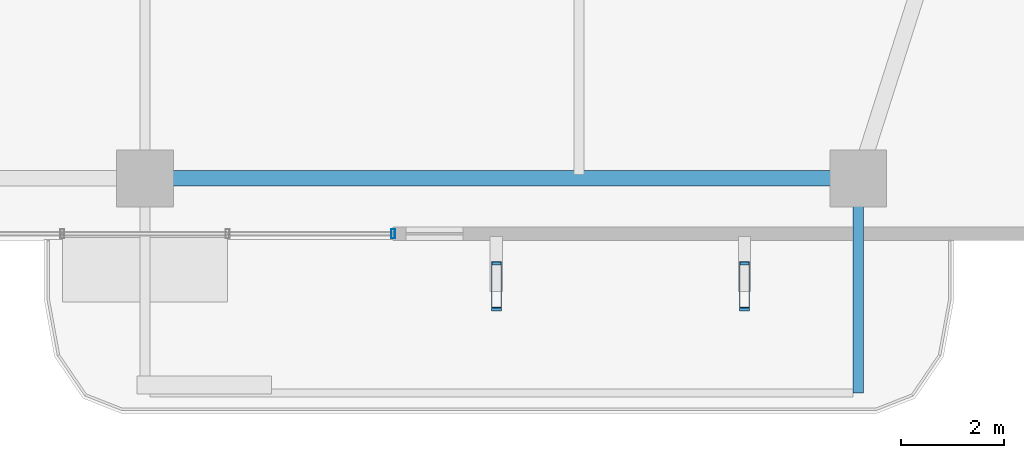
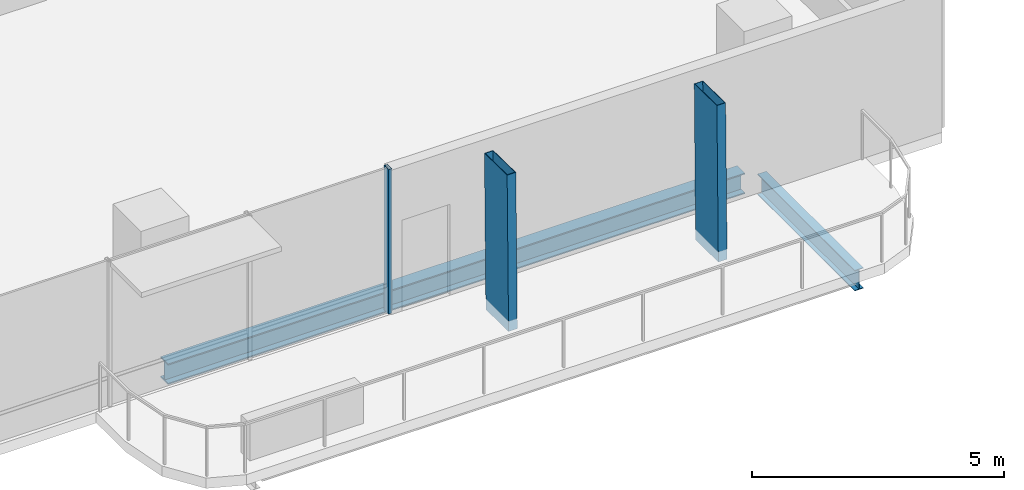
# One storey, part 8 of 25: 3 members, 2 beams, 1 element without a shape of its own.
"""IFC4 building model written with IfcOpenShell, lengths in metres."""

from ifc_helpers import new_model, si_unit, direction, frame, origin, origin_2d, place, context, subcontext, project, spatial, hollow_rectangle, i_section, extrude, material, layer, layer_set, material_profile, profile_set, type_object, element, aggregate, save


model = new_model("IFC4")

# Units and contexts
model_context = context("Model", 3, precision=1e-05, world=origin(), true_north=direction((0.0, 1.0)))
body_context = subcontext(model_context, "Body", "Model", "MODEL_VIEW")
ifc_project = project(units=[si_unit("LENGTHUNIT", "METRE"), si_unit("AREAUNIT", "SQUARE_METRE"), si_unit("VOLUMEUNIT", "CUBIC_METRE"), si_unit("PLANEANGLEUNIT", "RADIAN"), si_unit("MASSUNIT", "GRAM", prefix="KILO")], contexts=[model_context])

# Site, building, storey
site_placement = place(None, origin())
site = spatial("IfcSite", under=ifc_project, at=site_placement, CompositionType="ELEMENT")
building_placement = place(site_placement, origin())
building = spatial("IfcBuilding", under=site, at=building_placement, Name="Belovzor Exchange Tower", CompositionType="ELEMENT")
storey_placement = place(building_placement, frame((0.0, 0.0, 175.800048828125)))
storey = spatial("IfcBuildingStorey", under=building, at=storey_placement, Name="L43", CompositionType="ELEMENT", Elevation=175.800048828125)

# Beam
ifc_material_1 = material(Name="Steel S355", Category="steel")
ifc_material_profile_1 = material_profile(ifc_material_1, i_section(OverallWidth=0.199951171875, OverallDepth=0.5, WebThickness=0.01025390625, FlangeThickness=0.01611328125, at=origin_2d()))
ifc_profile_set_1 = profile_set([ifc_material_profile_1], Name="Steel S355")
beam_type_1 = type_object("IfcBeamType", Name="Planted Balcony Cantilever Beam IPE 500", PredefinedType="BEAM", material=ifc_profile_set_1)
beam_1_placement = place(storey_placement, frame((42.60009765625, 5.39697265625, -0.505126953125), z_axis=(0.0, -1.0, 0.0), x_axis=(1.0, 0.0, 0.0)))
element("IfcBeam", 1, at=beam_1_placement, inside=storey, type_object=beam_type_1, Name="BC-500 Planted Balcony Cantilever Beam IPE 500", PredefinedType="BEAM", context=body_context, shape_type="SweptSolid", body=[
    extrude(i_section(OverallWidth=0.199951171875, OverallDepth=0.5, WebThickness=0.01025390625, FlangeThickness=0.01611328125, at=origin_2d()), origin(), (0.0, 0.0, 1.0), 3.849853515625),
])

# Members
ifc_material_2 = material(Name="Extruded Architectural Terracotta on Steel S355 Carrier", Category="masonry")
ifc_material_profile_2 = material_profile(ifc_material_2, hollow_rectangle(XDim=0.199951171875, YDim=0.89990234375, WallThickness=0.011962890625, at=origin_2d()))
ifc_profile_set_2 = profile_set([ifc_material_profile_2], Name="Extruded Architectural Terracotta on Steel S355 Carrier")
member_type_1 = type_object("IfcMemberType", Name="Sweeping Terracotta Baguette Fin Assembly 1250", PredefinedType="USERDEFINED", material=ifc_profile_set_2)
for number, where, z_axis, x_axis, name in (
    (2, (35.60009765625, 3.589111328125, -0.255126953125), (0.0, 0.015427851114, 0.999880983623), (-1.0, 0.0, 0.0), "FIN-TC125 Terracotta Facade Fin L43 S3"),
    (3, (40.39990234375, 3.589111328125, -0.255126953125), (0.0, 0.015427851114, 0.999880983623), (-1.0, 0.0, 0.0), "FIN-TC125 Terracotta Facade Fin L43 S4"),
):
    element("IfcMember", number, at=place(storey_placement, frame(where, z_axis=z_axis, x_axis=x_axis)), inside=storey, type_object=member_type_1, Name=name, ObjectType="FIN", PredefinedType="USERDEFINED", context=body_context, shape_type="SweptSolid", body=[
        extrude(hollow_rectangle(XDim=0.199951171875, YDim=0.89990234375, WallThickness=0.011962890625, at=origin_2d()), origin(), (0.0, 0.0, 1.0), 3.75048828125),
    ])

# Curtain wall, member
ifc_material_3 = material(Name="Anodised Aluminium Framing", Category="aluminium")
ifc_layer = layer(ifc_material_3, 0.179931640625)
ifc_layer_set = layer_set([ifc_layer], Name="Anodised Aluminium Framing")
curtain_wall_type = type_object("IfcCurtainWallType", Name="Recessed Loggia Low-Iron Triple-Glazed Curtain Wall", PredefinedType="NOTDEFINED", material=ifc_layer_set)
curtain_wall_placement = place(storey_placement, origin())
curtain_wall = element("IfcCurtainWall", 4, at=curtain_wall_placement, inside=storey, type_object=curtain_wall_type, Name="CW3 Recessed Loggia Low-Iron Triple-Glazed Curtain Wall L43", PredefinedType="NOTDEFINED")
ifc_material_4 = material(Name="Steel S355", Category="steel")
ifc_material_profile_3 = material_profile(ifc_material_4, hollow_rectangle(XDim=0.074951171875, YDim=0.179931640625, WallThickness=0.0048828125, at=origin_2d()))
ifc_profile_set_3 = profile_set([ifc_material_profile_3], Name="Steel S355")
member_type_2 = type_object("IfcMemberType", Name="Thermally Broken Curtain Wall Mullion 180x75", PredefinedType="MULLION", material=ifc_profile_set_3)
member_placement = place(storey_placement, frame((33.60009765625, 4.6298828125, 0.0), z_axis=(0.0, 0.0, 1.0), x_axis=(-1.0, 0.0, 0.0)))
member = element("IfcMember", 5, at=member_placement, type_object=member_type_2, Name="CW-M180 Curtain Wall Mullion 1", PredefinedType="MULLION", context=body_context, shape_type="SweptSolid", body=[
    extrude(hollow_rectangle(XDim=0.074951171875, YDim=0.179931640625, WallThickness=0.0048828125, at=origin_2d()), origin(), (0.0, 0.0, 1.0), 3.494873046875),
])
aggregate(curtain_wall, [member])

# Beam
ifc_material_5 = material(Name="Steel S355", Category="steel")
ifc_material_profile_4 = material_profile(ifc_material_5, i_section(OverallWidth=0.300048828125, OverallDepth=0.5, WebThickness=0.014404296875, FlangeThickness=0.028076171875, at=origin_2d()))
ifc_profile_set_4 = profile_set([ifc_material_profile_4], Name="Steel S355")
beam_type_2 = type_object("IfcBeamType", Name="Zone 3 Waist Primary Girder HEB 500", PredefinedType="BEAM", material=ifc_profile_set_4)
beam_2_placement = place(storey_placement, frame((29.10205078125, 5.699951171875, -0.505126953125), z_axis=(1.0, 0.0, 0.0), x_axis=(0.0, 1.0, 0.0)))
element("IfcBeam", 6, at=beam_2_placement, inside=storey, type_object=beam_type_2, Name="FG-Z3 Zone 3 Waist Primary Girder HEB 500", PredefinedType="BEAM", context=body_context, shape_type="SweptSolid", body=[
    extrude(i_section(OverallWidth=0.300048828125, OverallDepth=0.5, WebThickness=0.014404296875, FlangeThickness=0.028076171875, at=origin_2d()), origin(), (0.0, 0.0, 1.0), 13.195068359375),
])

save(model, "model.ifc")
